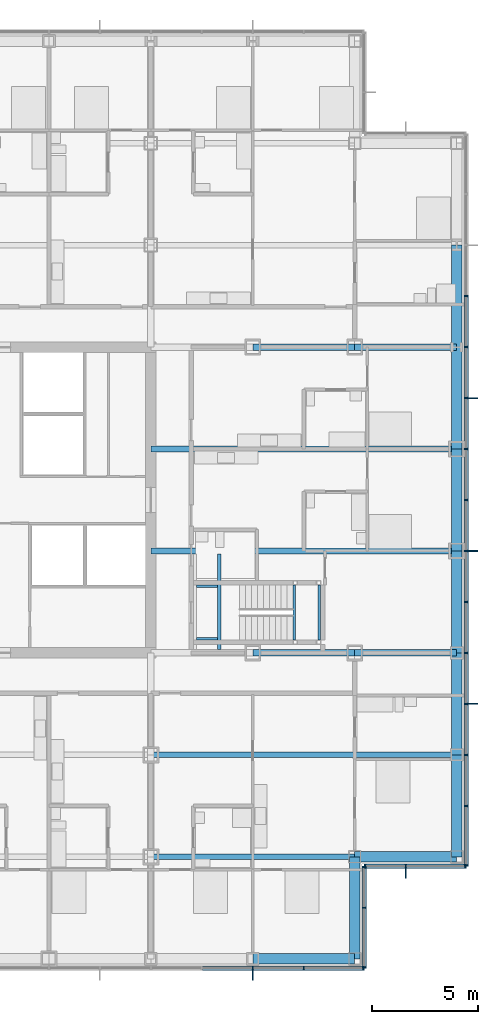
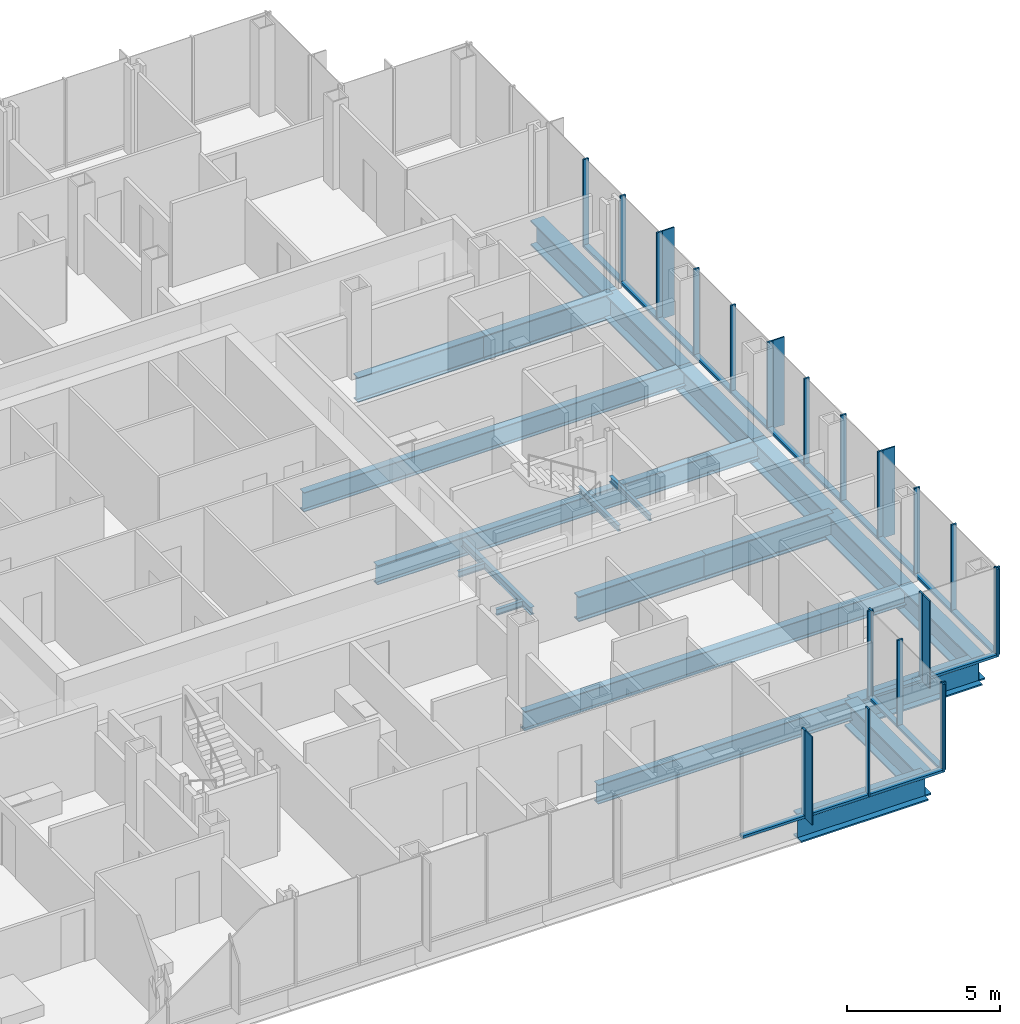
# One storey, part 9 of 21: 44 members, 22 beams, 4 elements without a shape of their own.
"""IFC4 building model written with IfcOpenShell, lengths in metres."""

from ifc_helpers import new_model, si_unit, direction, frame, origin, origin_2d, place, context, subcontext, project, spatial, rectangle, i_section, extrude, material, material_profile, profile_set, type_object, element, aggregate, save


model = new_model("IFC4")

# Units and contexts
model_context = context("Model", 3, precision=1e-05, world=origin(), true_north=direction((0.0, 1.0)))
body_context = subcontext(model_context, "Body", "Model", "MODEL_VIEW")
ifc_project = project(units=[si_unit("LENGTHUNIT", "METRE"), si_unit("AREAUNIT", "SQUARE_METRE"), si_unit("VOLUMEUNIT", "CUBIC_METRE"), si_unit("PLANEANGLEUNIT", "RADIAN"), si_unit("MASSUNIT", "GRAM", prefix="KILO")], contexts=[model_context])

# Site, building, storey
site_placement = place(None, origin())
site = spatial("IfcSite", under=ifc_project, at=site_placement, CompositionType="ELEMENT")
building_placement = place(site_placement, origin())
building = spatial("IfcBuilding", under=site, at=building_placement, Name="Kvirike Care Tower", CompositionType="ELEMENT")
storey_placement = place(building_placement, frame((0.0, 0.0, 51.5)))
storey = spatial("IfcBuildingStorey", under=building, at=storey_placement, Name="L13", CompositionType="ELEMENT", Elevation=51.5)

# Curtain wall, member
ifc_material_1 = material(Name="Anodised aluminium stick system", Category="aluminium")
curtain_wall_type = type_object("IfcCurtainWallType", Name="CW-A STICK CURTAIN WALL", PredefinedType="NOTDEFINED", material=ifc_material_1)
curtain_wall_1_placement = place(storey_placement, origin())
curtain_wall_1 = element("IfcCurtainWall", 1, at=curtain_wall_1_placement, inside=storey, type_object=curtain_wall_type, Name="Curtain wall L13 face 4", PredefinedType="NOTDEFINED")
ifc_material_2 = material(Name="Bronze anodised aluminium fin", Category="aluminium")
ifc_material_profile_1 = material_profile(ifc_material_2, rectangle(XDim=0.050048828125, YDim=0.449951171875, at=origin_2d()), Name="BRONZE FIN 450")
ifc_profile_set_1 = profile_set([ifc_material_profile_1], Name="Bronze anodised aluminium fin")
member_type_1 = type_object("IfcMemberType", Name="BRONZE FIN 450", PredefinedType="USERDEFINED", material=ifc_profile_set_1)
member_1_placement = place(storey_placement, frame((33.60009765625, 13.625, 0.0), z_axis=(0.0, 0.0, 1.0), x_axis=(1.0, 0.0, 0.0)))
member_1 = element("IfcMember", 2, at=member_1_placement, type_object=member_type_1, Name="Bronze fin L13 face 4.13", ObjectType="FIN", PredefinedType="USERDEFINED", context=body_context, shape_type="SweptSolid", body=[
    extrude(rectangle(XDim=0.050048828125, YDim=0.449951171875, at=origin_2d()), origin(), (0.0, 0.0, 1.0), 3.5),
])

curtain_wall_2_placement = place(storey_placement, origin())
curtain_wall_2 = element("IfcCurtainWall", 3, at=curtain_wall_2_placement, inside=storey, type_object=curtain_wall_type, Name="Curtain wall L13 face 6", PredefinedType="NOTDEFINED")
member_2_placement = place(storey_placement, frame((40.800048828125, 18.425048828125, 0.0), z_axis=(0.0, 0.0, 1.0), x_axis=(1.0, 0.0, 0.0)))
member_2 = element("IfcMember", 4, at=member_2_placement, type_object=member_type_1, Name="Bronze fin L13 face 6.2", ObjectType="FIN", PredefinedType="USERDEFINED", context=body_context, shape_type="SweptSolid", body=[
    extrude(rectangle(XDim=0.050048828125, YDim=0.449951171875, at=origin_2d()), origin(), (0.0, 0.0, 1.0), 3.5),
])

# Curtain wall, members
curtain_wall_3_placement = place(storey_placement, origin())
curtain_wall_3 = element("IfcCurtainWall", 5, at=curtain_wall_3_placement, inside=storey, type_object=curtain_wall_type, Name="Curtain wall L13 face 7", PredefinedType="NOTDEFINED")
member_3_placement = place(storey_placement, frame((43.97509765625, 26.39990234375, 0.0), z_axis=(0.0, 0.0, 1.0), x_axis=(0.0, 1.0, 0.0)))
member_3 = element("IfcMember", 6, at=member_3_placement, type_object=member_type_1, Name="Bronze fin L13 face 7.4", ObjectType="FIN", PredefinedType="USERDEFINED", context=body_context, shape_type="SweptSolid", body=[
    extrude(rectangle(XDim=0.050048828125, YDim=0.449951171875, at=origin_2d()), origin(), (0.0, 0.0, 1.0), 3.5),
])
member_4_placement = place(storey_placement, frame((43.97509765625, 33.60009765625, 0.0), z_axis=(0.0, 0.0, 1.0), x_axis=(0.0, 1.0, 0.0)))
member_4 = element("IfcMember", 7, at=member_4_placement, type_object=member_type_1, Name="Bronze fin L13 face 7.7", ObjectType="FIN", PredefinedType="USERDEFINED", context=body_context, shape_type="SweptSolid", body=[
    extrude(rectangle(XDim=0.050048828125, YDim=0.449951171875, at=origin_2d()), origin(), (0.0, 0.0, 1.0), 3.5),
])
member_5_placement = place(storey_placement, frame((43.97509765625, 40.800048828125, 0.0), z_axis=(0.0, 0.0, 1.0), x_axis=(0.0, 1.0, 0.0)))
member_5 = element("IfcMember", 8, at=member_5_placement, type_object=member_type_1, Name="Bronze fin L13 face 7.10", ObjectType="FIN", PredefinedType="USERDEFINED", context=body_context, shape_type="SweptSolid", body=[
    extrude(rectangle(XDim=0.050048828125, YDim=0.449951171875, at=origin_2d()), origin(), (0.0, 0.0, 1.0), 3.5),
])

# Member
ifc_material_3 = material(Name="Bronze anodised aluminium mullion", Category="aluminium")
ifc_material_profile_2 = material_profile(ifc_material_3, rectangle(XDim=0.06494140625, YDim=0.199951171875, at=origin_2d()), Name="CW-A MULLION 65x200")
ifc_profile_set_2 = profile_set([ifc_material_profile_2], Name="Bronze anodised aluminium mullion")
member_type_2 = type_object("IfcMemberType", Name="CW-A MULLION 65x200", PredefinedType="MULLION", material=ifc_profile_set_2)
member_6_placement = place(storey_placement, frame((33.60009765625, 13.949951171875, 0.0), z_axis=(0.0, 0.0, 1.0), x_axis=(1.0, 0.0, 0.0)))
member_6 = element("IfcMember", 9, at=member_6_placement, type_object=member_type_2, Name="CW-A mullion L13 face 4.13", PredefinedType="MULLION", context=body_context, shape_type="SweptSolid", body=[
    extrude(rectangle(XDim=0.06494140625, YDim=0.199951171875, at=origin_2d()), origin(), (0.0, 0.0, 1.0), 3.5),
])

member_7_placement = place(storey_placement, frame((36.0, 13.949951171875, 0.0), z_axis=(0.0, 0.0, 1.0), x_axis=(1.0, 0.0, 0.0)))
member_7 = element("IfcMember", 10, at=member_7_placement, type_object=member_type_2, Name="CW-A mullion L13 face 4.14", PredefinedType="MULLION", context=body_context, shape_type="SweptSolid", body=[
    extrude(rectangle(XDim=0.06494140625, YDim=0.199951171875, at=origin_2d()), origin(), (0.0, 0.0, 1.0), 3.5),
])

member_8_placement = place(storey_placement, frame((38.8173828125, 13.949951171875, 0.0), z_axis=(0.0, 0.0, 1.0), x_axis=(1.0, 0.0, 0.0)))
member_8 = element("IfcMember", 11, at=member_8_placement, type_object=member_type_2, Name="CW-A mullion L13 face 4.15", PredefinedType="MULLION", context=body_context, shape_type="SweptSolid", body=[
    extrude(rectangle(XDim=0.06494140625, YDim=0.199951171875, at=origin_2d()), origin(), (0.0, 0.0, 1.0), 3.5),
])

# Curtain wall, members
curtain_wall_4_placement = place(storey_placement, origin())
curtain_wall_4 = element("IfcCurtainWall", 12, at=curtain_wall_4_placement, inside=storey, type_object=curtain_wall_type, Name="Curtain wall L13 face 5", PredefinedType="NOTDEFINED")
member_9_placement = place(storey_placement, frame((38.85009765625, 13.982421875, 0.0), z_axis=(0.0, 0.0, 1.0), x_axis=(0.0, 1.0, 0.0)))
member_9 = element("IfcMember", 13, at=member_9_placement, type_object=member_type_2, Name="CW-A mullion L13 face 5.1", PredefinedType="MULLION", context=body_context, shape_type="SweptSolid", body=[
    extrude(rectangle(XDim=0.06494140625, YDim=0.199951171875, at=origin_2d()), origin(), (0.0, 0.0, 1.0), 3.5),
])
member_10_placement = place(storey_placement, frame((38.85009765625, 16.800048828125, 0.0), z_axis=(0.0, 0.0, 1.0), x_axis=(0.0, 1.0, 0.0)))
member_10 = element("IfcMember", 14, at=member_10_placement, type_object=member_type_2, Name="CW-A mullion L13 face 5.2", PredefinedType="MULLION", context=body_context, shape_type="SweptSolid", body=[
    extrude(rectangle(XDim=0.06494140625, YDim=0.199951171875, at=origin_2d()), origin(), (0.0, 0.0, 1.0), 3.5),
])
member_11_placement = place(storey_placement, frame((38.85009765625, 18.717529296875, 0.0), z_axis=(0.0, 0.0, 1.0), x_axis=(0.0, 1.0, 0.0)))
member_11 = element("IfcMember", 15, at=member_11_placement, type_object=member_type_2, Name="CW-A mullion L13 face 5.3", PredefinedType="MULLION", context=body_context, shape_type="SweptSolid", body=[
    extrude(rectangle(XDim=0.06494140625, YDim=0.199951171875, at=origin_2d()), origin(), (0.0, 0.0, 1.0), 3.5),
])

# Member
member_12_placement = place(storey_placement, frame((38.882568359375, 18.75, 0.0), z_axis=(0.0, 0.0, 1.0), x_axis=(1.0, 0.0, 0.0)))
member_12 = element("IfcMember", 16, at=member_12_placement, type_object=member_type_2, Name="CW-A mullion L13 face 6.1", PredefinedType="MULLION", context=body_context, shape_type="SweptSolid", body=[
    extrude(rectangle(XDim=0.06494140625, YDim=0.199951171875, at=origin_2d()), origin(), (0.0, 0.0, 1.0), 3.5),
])

member_13_placement = place(storey_placement, frame((40.800048828125, 18.75, 0.0), z_axis=(0.0, 0.0, 1.0), x_axis=(1.0, 0.0, 0.0)))
member_13 = element("IfcMember", 17, at=member_13_placement, type_object=member_type_2, Name="CW-A mullion L13 face 6.2", PredefinedType="MULLION", context=body_context, shape_type="SweptSolid", body=[
    extrude(rectangle(XDim=0.06494140625, YDim=0.199951171875, at=origin_2d()), origin(), (0.0, 0.0, 1.0), 3.5),
])

member_14_placement = place(storey_placement, frame((43.617431640625, 18.75, 0.0), z_axis=(0.0, 0.0, 1.0), x_axis=(1.0, 0.0, 0.0)))
member_14 = element("IfcMember", 18, at=member_14_placement, type_object=member_type_2, Name="CW-A mullion L13 face 6.3", PredefinedType="MULLION", context=body_context, shape_type="SweptSolid", body=[
    extrude(rectangle(XDim=0.06494140625, YDim=0.199951171875, at=origin_2d()), origin(), (0.0, 0.0, 1.0), 3.5),
])

member_15_placement = place(storey_placement, frame((43.64990234375, 18.782470703125, 0.0), z_axis=(0.0, 0.0, 1.0), x_axis=(0.0, 1.0, 0.0)))
member_15 = element("IfcMember", 19, at=member_15_placement, type_object=member_type_2, Name="CW-A mullion L13 face 7.1", PredefinedType="MULLION", context=body_context, shape_type="SweptSolid", body=[
    extrude(rectangle(XDim=0.06494140625, YDim=0.199951171875, at=origin_2d()), origin(), (0.0, 0.0, 1.0), 3.5),
])

member_16_placement = place(storey_placement, frame((43.64990234375, 21.60009765625, 0.0), z_axis=(0.0, 0.0, 1.0), x_axis=(0.0, 1.0, 0.0)))
member_16 = element("IfcMember", 20, at=member_16_placement, type_object=member_type_2, Name="CW-A mullion L13 face 7.2", PredefinedType="MULLION", context=body_context, shape_type="SweptSolid", body=[
    extrude(rectangle(XDim=0.06494140625, YDim=0.199951171875, at=origin_2d()), origin(), (0.0, 0.0, 1.0), 3.5),
])

member_17_placement = place(storey_placement, frame((43.64990234375, 24.0, 0.0), z_axis=(0.0, 0.0, 1.0), x_axis=(0.0, 1.0, 0.0)))
member_17 = element("IfcMember", 21, at=member_17_placement, type_object=member_type_2, Name="CW-A mullion L13 face 7.3", PredefinedType="MULLION", context=body_context, shape_type="SweptSolid", body=[
    extrude(rectangle(XDim=0.06494140625, YDim=0.199951171875, at=origin_2d()), origin(), (0.0, 0.0, 1.0), 3.5),
])

member_18_placement = place(storey_placement, frame((43.64990234375, 26.39990234375, 0.0), z_axis=(0.0, 0.0, 1.0), x_axis=(0.0, 1.0, 0.0)))
member_18 = element("IfcMember", 22, at=member_18_placement, type_object=member_type_2, Name="CW-A mullion L13 face 7.4", PredefinedType="MULLION", context=body_context, shape_type="SweptSolid", body=[
    extrude(rectangle(XDim=0.06494140625, YDim=0.199951171875, at=origin_2d()), origin(), (0.0, 0.0, 1.0), 3.5),
])

member_19_placement = place(storey_placement, frame((43.64990234375, 28.800048828125, 0.0), z_axis=(0.0, 0.0, 1.0), x_axis=(0.0, 1.0, 0.0)))
member_19 = element("IfcMember", 23, at=member_19_placement, type_object=member_type_2, Name="CW-A mullion L13 face 7.5", PredefinedType="MULLION", context=body_context, shape_type="SweptSolid", body=[
    extrude(rectangle(XDim=0.06494140625, YDim=0.199951171875, at=origin_2d()), origin(), (0.0, 0.0, 1.0), 3.5),
])

member_20_placement = place(storey_placement, frame((43.64990234375, 31.199951171875, 0.0), z_axis=(0.0, 0.0, 1.0), x_axis=(0.0, 1.0, 0.0)))
member_20 = element("IfcMember", 24, at=member_20_placement, type_object=member_type_2, Name="CW-A mullion L13 face 7.6", PredefinedType="MULLION", context=body_context, shape_type="SweptSolid", body=[
    extrude(rectangle(XDim=0.06494140625, YDim=0.199951171875, at=origin_2d()), origin(), (0.0, 0.0, 1.0), 3.5),
])

member_21_placement = place(storey_placement, frame((43.64990234375, 33.60009765625, 0.0), z_axis=(0.0, 0.0, 1.0), x_axis=(0.0, 1.0, 0.0)))
member_21 = element("IfcMember", 25, at=member_21_placement, type_object=member_type_2, Name="CW-A mullion L13 face 7.7", PredefinedType="MULLION", context=body_context, shape_type="SweptSolid", body=[
    extrude(rectangle(XDim=0.06494140625, YDim=0.199951171875, at=origin_2d()), origin(), (0.0, 0.0, 1.0), 3.5),
])

member_22_placement = place(storey_placement, frame((43.64990234375, 36.0, 0.0), z_axis=(0.0, 0.0, 1.0), x_axis=(0.0, 1.0, 0.0)))
member_22 = element("IfcMember", 26, at=member_22_placement, type_object=member_type_2, Name="CW-A mullion L13 face 7.8", PredefinedType="MULLION", context=body_context, shape_type="SweptSolid", body=[
    extrude(rectangle(XDim=0.06494140625, YDim=0.199951171875, at=origin_2d()), origin(), (0.0, 0.0, 1.0), 3.5),
])

member_23_placement = place(storey_placement, frame((43.64990234375, 38.39990234375, 0.0), z_axis=(0.0, 0.0, 1.0), x_axis=(0.0, 1.0, 0.0)))
member_23 = element("IfcMember", 27, at=member_23_placement, type_object=member_type_2, Name="CW-A mullion L13 face 7.9", PredefinedType="MULLION", context=body_context, shape_type="SweptSolid", body=[
    extrude(rectangle(XDim=0.06494140625, YDim=0.199951171875, at=origin_2d()), origin(), (0.0, 0.0, 1.0), 3.5),
])

member_24_placement = place(storey_placement, frame((43.64990234375, 40.800048828125, 0.0), z_axis=(0.0, 0.0, 1.0), x_axis=(0.0, 1.0, 0.0)))
member_24 = element("IfcMember", 28, at=member_24_placement, type_object=member_type_2, Name="CW-A mullion L13 face 7.10", PredefinedType="MULLION", context=body_context, shape_type="SweptSolid", body=[
    extrude(rectangle(XDim=0.06494140625, YDim=0.199951171875, at=origin_2d()), origin(), (0.0, 0.0, 1.0), 3.5),
])

member_25_placement = place(storey_placement, frame((43.64990234375, 43.199951171875, 0.0), z_axis=(0.0, 0.0, 1.0), x_axis=(0.0, 1.0, 0.0)))
member_25 = element("IfcMember", 29, at=member_25_placement, type_object=member_type_2, Name="CW-A mullion L13 face 7.11", PredefinedType="MULLION", context=body_context, shape_type="SweptSolid", body=[
    extrude(rectangle(XDim=0.06494140625, YDim=0.199951171875, at=origin_2d()), origin(), (0.0, 0.0, 1.0), 3.5),
])

member_26_placement = place(storey_placement, frame((43.64990234375, 45.60009765625, 0.0), z_axis=(0.0, 0.0, 1.0), x_axis=(0.0, 1.0, 0.0)))
member_26 = element("IfcMember", 30, at=member_26_placement, type_object=member_type_2, Name="CW-A mullion L13 face 7.12", PredefinedType="MULLION", context=body_context, shape_type="SweptSolid", body=[
    extrude(rectangle(XDim=0.06494140625, YDim=0.199951171875, at=origin_2d()), origin(), (0.0, 0.0, 1.0), 3.5),
])

ifc_material_4 = material(Name="Bronze anodised aluminium transom", Category="aluminium")
ifc_material_profile_3 = material_profile(ifc_material_4, rectangle(XDim=0.199951171875, YDim=0.10009765625, at=origin_2d()), Name="CW-A TRANSOM 200x100")
ifc_profile_set_3 = profile_set([ifc_material_profile_3], Name="Bronze anodised aluminium transom")
member_type_3 = type_object("IfcMemberType", Name="CW-A TRANSOM 200x100", PredefinedType="USERDEFINED", material=ifc_profile_set_3)
member_27_placement = place(storey_placement, frame((31.232421875, 13.949951171875, 0.050048828125), z_axis=(1.0, 0.0, 0.0), x_axis=(0.0, 1.0, 0.0)))
member_27 = element("IfcMember", 31, at=member_27_placement, type_object=member_type_3, Name="CW-A sill transom L13 face 4.12", ObjectType="TRANSOM", PredefinedType="USERDEFINED", context=body_context, shape_type="SweptSolid", body=[
    extrude(rectangle(XDim=0.199951171875, YDim=0.10009765625, at=origin_2d()), origin(), (0.0, 0.0, 1.0), 2.3349609375),
])

member_28_placement = place(storey_placement, frame((33.632568359375, 13.949951171875, 0.050048828125), z_axis=(1.0, 0.0, 0.0), x_axis=(0.0, 1.0, 0.0)))
member_28 = element("IfcMember", 32, at=member_28_placement, type_object=member_type_3, Name="CW-A sill transom L13 face 4.13", ObjectType="TRANSOM", PredefinedType="USERDEFINED", context=body_context, shape_type="SweptSolid", body=[
    extrude(rectangle(XDim=0.199951171875, YDim=0.10009765625, at=origin_2d()), origin(), (0.0, 0.0, 1.0), 2.3349609375),
])

member_29_placement = place(storey_placement, frame((36.032470703125, 13.949951171875, 0.050048828125), z_axis=(1.0, 0.0, 0.0), x_axis=(0.0, 1.0, 0.0)))
member_29 = element("IfcMember", 33, at=member_29_placement, type_object=member_type_3, Name="CW-A sill transom L13 face 4.14", ObjectType="TRANSOM", PredefinedType="USERDEFINED", context=body_context, shape_type="SweptSolid", body=[
    extrude(rectangle(XDim=0.199951171875, YDim=0.10009765625, at=origin_2d()), origin(), (0.0, 0.0, 1.0), 2.75244140625),
])

aggregate(curtain_wall_1, [member_6, member_1, member_7, member_8, member_27, member_28, member_29])

member_30_placement = place(storey_placement, frame((38.85009765625, 14.014892578125, 0.050048828125), z_axis=(0.0, 1.0, 0.0), x_axis=(-1.0, 0.0, 0.0)))
member_30 = element("IfcMember", 34, at=member_30_placement, type_object=member_type_3, Name="CW-A sill transom L13 face 5.1", ObjectType="TRANSOM", PredefinedType="USERDEFINED", context=body_context, shape_type="SweptSolid", body=[
    extrude(rectangle(XDim=0.199951171875, YDim=0.10009765625, at=origin_2d()), origin(), (0.0, 0.0, 1.0), 2.752685546875),
])

member_31_placement = place(storey_placement, frame((38.85009765625, 16.83251953125, 0.050048828125), z_axis=(0.0, 1.0, 0.0), x_axis=(-1.0, 0.0, 0.0)))
member_31 = element("IfcMember", 35, at=member_31_placement, type_object=member_type_3, Name="CW-A sill transom L13 face 5.2", ObjectType="TRANSOM", PredefinedType="USERDEFINED", context=body_context, shape_type="SweptSolid", body=[
    extrude(rectangle(XDim=0.199951171875, YDim=0.10009765625, at=origin_2d()), origin(), (0.0, 0.0, 1.0), 1.8525390625),
])

aggregate(curtain_wall_4, [member_9, member_10, member_11, member_30, member_31])

member_32_placement = place(storey_placement, frame((38.9150390625, 18.75, 0.050048828125), z_axis=(1.0, 0.0, 0.0), x_axis=(0.0, 1.0, 0.0)))
member_32 = element("IfcMember", 36, at=member_32_placement, type_object=member_type_3, Name="CW-A sill transom L13 face 6.1", ObjectType="TRANSOM", PredefinedType="USERDEFINED", context=body_context, shape_type="SweptSolid", body=[
    extrude(rectangle(XDim=0.199951171875, YDim=0.10009765625, at=origin_2d()), origin(), (0.0, 0.0, 1.0), 1.8525390625),
])

member_33_placement = place(storey_placement, frame((40.83251953125, 18.75, 0.050048828125), z_axis=(1.0, 0.0, 0.0), x_axis=(0.0, 1.0, 0.0)))
member_33 = element("IfcMember", 37, at=member_33_placement, type_object=member_type_3, Name="CW-A sill transom L13 face 6.2", ObjectType="TRANSOM", PredefinedType="USERDEFINED", context=body_context, shape_type="SweptSolid", body=[
    extrude(rectangle(XDim=0.199951171875, YDim=0.10009765625, at=origin_2d()), origin(), (0.0, 0.0, 1.0), 2.75244140625),
])

aggregate(curtain_wall_2, [member_12, member_13, member_2, member_14, member_32, member_33])

member_34_placement = place(storey_placement, frame((43.64990234375, 18.81494140625, 0.050048828125), z_axis=(0.0, 1.0, 0.0), x_axis=(-1.0, 0.0, 0.0)))
member_34 = element("IfcMember", 38, at=member_34_placement, type_object=member_type_3, Name="CW-A sill transom L13 face 7.1", ObjectType="TRANSOM", PredefinedType="USERDEFINED", context=body_context, shape_type="SweptSolid", body=[
    extrude(rectangle(XDim=0.199951171875, YDim=0.10009765625, at=origin_2d()), origin(), (0.0, 0.0, 1.0), 2.75244140625),
])

member_35_placement = place(storey_placement, frame((43.64990234375, 21.632568359375, 0.050048828125), z_axis=(0.0, 1.0, 0.0), x_axis=(-1.0, 0.0, 0.0)))
member_35 = element("IfcMember", 39, at=member_35_placement, type_object=member_type_3, Name="CW-A sill transom L13 face 7.2", ObjectType="TRANSOM", PredefinedType="USERDEFINED", context=body_context, shape_type="SweptSolid", body=[
    extrude(rectangle(XDim=0.199951171875, YDim=0.10009765625, at=origin_2d()), origin(), (0.0, 0.0, 1.0), 2.3349609375),
])

member_36_placement = place(storey_placement, frame((43.64990234375, 24.032470703125, 0.050048828125), z_axis=(0.0, 1.0, 0.0), x_axis=(-1.0, 0.0, 0.0)))
member_36 = element("IfcMember", 40, at=member_36_placement, type_object=member_type_3, Name="CW-A sill transom L13 face 7.3", ObjectType="TRANSOM", PredefinedType="USERDEFINED", context=body_context, shape_type="SweptSolid", body=[
    extrude(rectangle(XDim=0.199951171875, YDim=0.10009765625, at=origin_2d()), origin(), (0.0, 0.0, 1.0), 2.3349609375),
])

member_37_placement = place(storey_placement, frame((43.64990234375, 26.4326171875, 0.050048828125), z_axis=(0.0, 1.0, 0.0), x_axis=(-1.0, 0.0, 0.0)))
member_37 = element("IfcMember", 41, at=member_37_placement, type_object=member_type_3, Name="CW-A sill transom L13 face 7.4", ObjectType="TRANSOM", PredefinedType="USERDEFINED", context=body_context, shape_type="SweptSolid", body=[
    extrude(rectangle(XDim=0.199951171875, YDim=0.10009765625, at=origin_2d()), origin(), (0.0, 0.0, 1.0), 2.3349609375),
])

member_38_placement = place(storey_placement, frame((43.64990234375, 28.83251953125, 0.050048828125), z_axis=(0.0, 1.0, 0.0), x_axis=(-1.0, 0.0, 0.0)))
member_38 = element("IfcMember", 42, at=member_38_placement, type_object=member_type_3, Name="CW-A sill transom L13 face 7.5", ObjectType="TRANSOM", PredefinedType="USERDEFINED", context=body_context, shape_type="SweptSolid", body=[
    extrude(rectangle(XDim=0.199951171875, YDim=0.10009765625, at=origin_2d()), origin(), (0.0, 0.0, 1.0), 2.3349609375),
])

member_39_placement = place(storey_placement, frame((43.64990234375, 31.232421875, 0.050048828125), z_axis=(0.0, 1.0, 0.0), x_axis=(-1.0, 0.0, 0.0)))
member_39 = element("IfcMember", 43, at=member_39_placement, type_object=member_type_3, Name="CW-A sill transom L13 face 7.6", ObjectType="TRANSOM", PredefinedType="USERDEFINED", context=body_context, shape_type="SweptSolid", body=[
    extrude(rectangle(XDim=0.199951171875, YDim=0.10009765625, at=origin_2d()), origin(), (0.0, 0.0, 1.0), 2.3349609375),
])

member_40_placement = place(storey_placement, frame((43.64990234375, 33.632568359375, 0.050048828125), z_axis=(0.0, 1.0, 0.0), x_axis=(-1.0, 0.0, 0.0)))
member_40 = element("IfcMember", 44, at=member_40_placement, type_object=member_type_3, Name="CW-A sill transom L13 face 7.7", ObjectType="TRANSOM", PredefinedType="USERDEFINED", context=body_context, shape_type="SweptSolid", body=[
    extrude(rectangle(XDim=0.199951171875, YDim=0.10009765625, at=origin_2d()), origin(), (0.0, 0.0, 1.0), 2.3349609375),
])

member_41_placement = place(storey_placement, frame((43.64990234375, 36.032470703125, 0.050048828125), z_axis=(0.0, 1.0, 0.0), x_axis=(-1.0, 0.0, 0.0)))
member_41 = element("IfcMember", 45, at=member_41_placement, type_object=member_type_3, Name="CW-A sill transom L13 face 7.8", ObjectType="TRANSOM", PredefinedType="USERDEFINED", context=body_context, shape_type="SweptSolid", body=[
    extrude(rectangle(XDim=0.199951171875, YDim=0.10009765625, at=origin_2d()), origin(), (0.0, 0.0, 1.0), 2.3349609375),
])

member_42_placement = place(storey_placement, frame((43.64990234375, 38.4326171875, 0.050048828125), z_axis=(0.0, 1.0, 0.0), x_axis=(-1.0, 0.0, 0.0)))
member_42 = element("IfcMember", 46, at=member_42_placement, type_object=member_type_3, Name="CW-A sill transom L13 face 7.9", ObjectType="TRANSOM", PredefinedType="USERDEFINED", context=body_context, shape_type="SweptSolid", body=[
    extrude(rectangle(XDim=0.199951171875, YDim=0.10009765625, at=origin_2d()), origin(), (0.0, 0.0, 1.0), 2.3349609375),
])

member_43_placement = place(storey_placement, frame((43.64990234375, 40.83251953125, 0.050048828125), z_axis=(0.0, 1.0, 0.0), x_axis=(-1.0, 0.0, 0.0)))
member_43 = element("IfcMember", 47, at=member_43_placement, type_object=member_type_3, Name="CW-A sill transom L13 face 7.10", ObjectType="TRANSOM", PredefinedType="USERDEFINED", context=body_context, shape_type="SweptSolid", body=[
    extrude(rectangle(XDim=0.199951171875, YDim=0.10009765625, at=origin_2d()), origin(), (0.0, 0.0, 1.0), 2.3349609375),
])

member_44_placement = place(storey_placement, frame((43.64990234375, 43.232421875, 0.050048828125), z_axis=(0.0, 1.0, 0.0), x_axis=(-1.0, 0.0, 0.0)))
member_44 = element("IfcMember", 48, at=member_44_placement, type_object=member_type_3, Name="CW-A sill transom L13 face 7.11", ObjectType="TRANSOM", PredefinedType="USERDEFINED", context=body_context, shape_type="SweptSolid", body=[
    extrude(rectangle(XDim=0.199951171875, YDim=0.10009765625, at=origin_2d()), origin(), (0.0, 0.0, 1.0), 2.3349609375),
])

aggregate(curtain_wall_3, [member_15, member_16, member_17, member_18, member_3, member_19, member_20, member_21, member_4, member_22, member_23, member_24, member_5, member_25, member_26, member_34, member_35, member_36, member_37, member_38, member_39, member_40, member_41, member_42, member_43, member_44])

# Beams
ifc_material_5 = material(Name="Steel S355", Category="steel")
ifc_material_profile_4 = material_profile(ifc_material_5, i_section(OverallWidth=0.26806640625, OverallDepth=0.77001953125, WebThickness=0.015625, FlangeThickness=0.025390625, FilletRadius=0.01708984375, at=origin_2d()), Name="IPE 750x196")
ifc_profile_set_4 = profile_set([ifc_material_profile_4], Name="Steel S355")
beam_type_1 = type_object("IfcBeamType", Name="FLOOR BEAM IPE 750x196", PredefinedType="BEAM", material=ifc_profile_set_4)
beam_1_placement = place(storey_placement, frame((28.800048828125, 19.199951171875, -0.554931640625), z_axis=(1.0, 0.0, 0.0), x_axis=(0.0, 1.0, 0.0)))
element("IfcBeam", 49, at=beam_1_placement, inside=storey, type_object=beam_type_1, Name="Floor Beam E9-E11 L13", PredefinedType="BEAM", context=body_context, shape_type="SweptSolid", body=[
    extrude(i_section(OverallWidth=0.26806640625, OverallDepth=0.77001953125, WebThickness=0.015625, FlangeThickness=0.025390625, FilletRadius=0.01708984375, at=origin_2d()), origin(), (0.0, 0.0, 1.0), 9.599853515625),
])
for number, where, z_axis, x_axis, name in (
    (50, (28.800048828125, 24.0, -0.554931640625), (1.0, 0.0, 0.0), (0.0, 1.0, 0.0), "Floor Beam F9-F12 L13"),
    (51, (28.800048828125, 33.60009765625, -0.554931640625), (1.0, 0.0, 0.0), (0.0, 1.0, 0.0), "Floor Beam H9-H12 L13"),
    (52, (28.800048828125, 38.39990234375, -0.554931640625), (1.0, 0.0, 0.0), (0.0, 1.0, 0.0), "Floor Beam J9-J12 L13"),
):
    element("IfcBeam", number, at=place(storey_placement, frame(where, z_axis=z_axis, x_axis=x_axis)), inside=storey, type_object=beam_type_1, Name=name, PredefinedType="BEAM", context=body_context, shape_type="SweptSolid", body=[
        extrude(i_section(OverallWidth=0.26806640625, OverallDepth=0.77001953125, WebThickness=0.015625, FlangeThickness=0.025390625, FilletRadius=0.01708984375, at=origin_2d()), origin(), (0.0, 0.0, 1.0), 14.39990234375),
    ])
ifc_material_6 = material(Name="Steel S355", Category="steel")
ifc_material_profile_5 = material_profile(ifc_material_6, i_section(OverallWidth=0.300048828125, OverallDepth=1.0, WebThickness=0.01904296875, FlangeThickness=0.035888671875, FilletRadius=0.030029296875, at=origin_2d()), Name="HE 1000 B")
ifc_profile_set_5 = profile_set([ifc_material_profile_5], Name="Steel S355")
beam_type_2 = type_object("IfcBeamType", Name="FRAME BEAM HE 1000 B", PredefinedType="BEAM", material=ifc_profile_set_5)
beam_2_placement = place(storey_placement, frame((33.60009765625, 28.800048828125, -0.669921875), z_axis=(1.0, 0.0, 0.0), x_axis=(0.0, 1.0, 0.0)))
element("IfcBeam", 53, at=beam_2_placement, inside=storey, type_object=beam_type_2, Name="Frame Beam G10-G11 L13", PredefinedType="BEAM", context=body_context, shape_type="SweptSolid", body=[
    extrude(i_section(OverallWidth=0.300048828125, OverallDepth=1.0, WebThickness=0.01904296875, FlangeThickness=0.035888671875, FilletRadius=0.030029296875, at=origin_2d()), origin(), (0.0, 0.0, 1.0), 4.7998046875),
])
beam_3_placement = place(storey_placement, frame((38.39990234375, 28.800048828125, -0.669921875), z_axis=(1.0, 0.0, 0.0), x_axis=(0.0, 1.0, 0.0)))
element("IfcBeam", 54, at=beam_3_placement, inside=storey, type_object=beam_type_2, Name="Frame Beam G11-G12 L13", PredefinedType="BEAM", context=body_context, shape_type="SweptSolid", body=[
    extrude(i_section(OverallWidth=0.300048828125, OverallDepth=1.0, WebThickness=0.01904296875, FlangeThickness=0.035888671875, FilletRadius=0.030029296875, at=origin_2d()), origin(), (0.0, 0.0, 1.0), 4.800048828125),
])
beam_4_placement = place(storey_placement, frame((33.60009765625, 43.199951171875, -0.669921875), z_axis=(1.0, 0.0, 0.0), x_axis=(0.0, 1.0, 0.0)))
element("IfcBeam", 55, at=beam_4_placement, inside=storey, type_object=beam_type_2, Name="Frame Beam K10-K11 L13", PredefinedType="BEAM", context=body_context, shape_type="SweptSolid", body=[
    extrude(i_section(OverallWidth=0.300048828125, OverallDepth=1.0, WebThickness=0.01904296875, FlangeThickness=0.035888671875, FilletRadius=0.030029296875, at=origin_2d()), origin(), (0.0, 0.0, 1.0), 4.7998046875),
])
beam_5_placement = place(storey_placement, frame((38.39990234375, 43.199951171875, -0.669921875), z_axis=(1.0, 0.0, 0.0), x_axis=(0.0, 1.0, 0.0)))
element("IfcBeam", 56, at=beam_5_placement, inside=storey, type_object=beam_type_2, Name="Frame Beam K11-K12 L13", PredefinedType="BEAM", context=body_context, shape_type="SweptSolid", body=[
    extrude(i_section(OverallWidth=0.300048828125, OverallDepth=1.0, WebThickness=0.01904296875, FlangeThickness=0.035888671875, FilletRadius=0.030029296875, at=origin_2d()), origin(), (0.0, 0.0, 1.0), 4.800048828125),
])
ifc_material_7 = material(Name="Steel S355", Category="steel")
ifc_material_profile_6 = material_profile(ifc_material_7, i_section(OverallWidth=0.5, OverallDepth=1.0, WebThickness=0.030029296875, FlangeThickness=0.06005859375, at=origin_2d()), Name="PG 1000x500x30x60")
ifc_profile_set_6 = profile_set([ifc_material_profile_6], Name="Steel S355")
beam_type_3 = type_object("IfcBeamType", Name="SPANDREL PG 1000x500x30x60", PredefinedType="SPANDREL", material=ifc_profile_set_6)
beam_6_placement = place(storey_placement, frame((33.60009765625, 14.39990234375, -0.669921875), z_axis=(1.0, 0.0, 0.0), x_axis=(0.0, 1.0, 0.0)))
element("IfcBeam", 57, at=beam_6_placement, inside=storey, type_object=beam_type_3, Name="Spandrel D10-D11 L13", PredefinedType="SPANDREL", context=body_context, shape_type="SweptSolid", body=[
    extrude(i_section(OverallWidth=0.5, OverallDepth=1.0, WebThickness=0.030029296875, FlangeThickness=0.06005859375, at=origin_2d()), origin(), (0.0, 0.0, 1.0), 4.7998046875),
])
for number, where, z_axis, x_axis, name in (
    (58, (38.39990234375, 19.199951171875, -0.669921875), (1.0, 0.0, 0.0), (0.0, 1.0, 0.0), "Spandrel E11-E12 L13"),
    (59, (38.39990234375, 14.39990234375, -0.669921875), (0.0, 1.0, 0.0), (-1.0, 0.0, 0.0), "Spandrel D11-E11 L13"),
    (60, (43.199951171875, 19.199951171875, -0.669921875), (0.0, 1.0, 0.0), (-1.0, 0.0, 0.0), "Spandrel E12-F12 L13"),
    (61, (43.199951171875, 24.0, -0.669921875), (0.0, 1.0, 0.0), (-1.0, 0.0, 0.0), "Spandrel F12-G12 L13"),
    (62, (43.199951171875, 28.800048828125, -0.669921875), (0.0, 1.0, 0.0), (-1.0, 0.0, 0.0), "Spandrel G12-H12 L13"),
):
    element("IfcBeam", number, at=place(storey_placement, frame(where, z_axis=z_axis, x_axis=x_axis)), inside=storey, type_object=beam_type_3, Name=name, PredefinedType="SPANDREL", context=body_context, shape_type="SweptSolid", body=[
        extrude(i_section(OverallWidth=0.5, OverallDepth=1.0, WebThickness=0.030029296875, FlangeThickness=0.06005859375, at=origin_2d()), origin(), (0.0, 0.0, 1.0), 4.800048828125),
    ])
beam_7_placement = place(storey_placement, frame((43.199951171875, 33.60009765625, -0.669921875), z_axis=(0.0, 1.0, 0.0), x_axis=(-1.0, 0.0, 0.0)))
element("IfcBeam", 63, at=beam_7_placement, inside=storey, type_object=beam_type_3, Name="Spandrel H12-J12 L13", PredefinedType="SPANDREL", context=body_context, shape_type="SweptSolid", body=[
    extrude(i_section(OverallWidth=0.5, OverallDepth=1.0, WebThickness=0.030029296875, FlangeThickness=0.06005859375, at=origin_2d()), origin(), (0.0, 0.0, 1.0), 4.7998046875),
])
for number, where, z_axis, x_axis, name in (
    (64, (43.199951171875, 38.39990234375, -0.669921875), (0.0, 1.0, 0.0), (-1.0, 0.0, 0.0), "Spandrel J12-K12 L13"),
    (65, (43.199951171875, 43.199951171875, -0.669921875), (0.0, 1.0, 0.0), (-1.0, 0.0, 0.0), "Spandrel K12-L12 L13"),
):
    element("IfcBeam", number, at=place(storey_placement, frame(where, z_axis=z_axis, x_axis=x_axis)), inside=storey, type_object=beam_type_3, Name=name, PredefinedType="SPANDREL", context=body_context, shape_type="SweptSolid", body=[
        extrude(i_section(OverallWidth=0.5, OverallDepth=1.0, WebThickness=0.030029296875, FlangeThickness=0.06005859375, at=origin_2d()), origin(), (0.0, 0.0, 1.0), 4.800048828125),
    ])
ifc_material_8 = material(Name="Steel S355", Category="steel")
ifc_material_profile_7 = material_profile(ifc_material_8, i_section(OverallWidth=0.1201171875, OverallDepth=0.239990234375, WebThickness=0.006103515625, FlangeThickness=0.009765625, FilletRadius=0.014892578125, at=origin_2d()), Name="IPE 240")
ifc_profile_set_7 = profile_set([ifc_material_profile_7], Name="Steel S355")
beam_type_4 = type_object("IfcBeamType", Name="STAIR LANDING BEAM IPE 240", PredefinedType="BEAM", material=ifc_profile_set_7)
for number, where, z_axis, x_axis, name in (
    (66, (36.739990234375, 29.39990234375, 1.429931640625), (0.0, 1.0, 0.0), (-1.0, 0.0, 0.0), "Stair 2 landing beam back L13"),
    (67, (35.56005859375, 29.39990234375, 1.429931640625), (0.0, 1.0, 0.0), (-1.0, 0.0, 0.0), "Stair 2 landing beam front L13"),
):
    element("IfcBeam", number, at=place(storey_placement, frame(where, z_axis=z_axis, x_axis=x_axis)), inside=storey, type_object=beam_type_4, Name=name, PredefinedType="BEAM", context=body_context, shape_type="SweptSolid", body=[
        extrude(i_section(OverallWidth=0.1201171875, OverallDepth=0.239990234375, WebThickness=0.006103515625, FlangeThickness=0.009765625, FilletRadius=0.014892578125, at=origin_2d()), origin(), (0.0, 0.0, 1.0), 2.60009765625),
    ])
for number, where, z_axis, x_axis, name in (
    (68, (31.949951171875, 29.4599609375, -0.320068359375), (-1.0, 0.0, 0.0), (0.0, -1.0, 0.0), "Stair 2 landing edge beam 1 L13"),
    (69, (31.949951171875, 31.93994140625, -0.320068359375), (-1.0, 0.0, 0.0), (0.0, -1.0, 0.0), "Stair 2 landing edge beam 2 L13"),
):
    element("IfcBeam", number, at=place(storey_placement, frame(where, z_axis=z_axis, x_axis=x_axis)), inside=storey, type_object=beam_type_4, Name=name, PredefinedType="BEAM", context=body_context, shape_type="SweptSolid", body=[
        extrude(i_section(OverallWidth=0.1201171875, OverallDepth=0.239990234375, WebThickness=0.006103515625, FlangeThickness=0.009765625, FilletRadius=0.014892578125, at=origin_2d()), origin(), (0.0, 0.0, 1.0), 1.0),
    ])
ifc_material_9 = material(Name="Steel S355", Category="steel")
ifc_material_profile_8 = material_profile(ifc_material_9, i_section(OverallWidth=0.14990234375, OverallDepth=0.300048828125, WebThickness=0.007080078125, FlangeThickness=0.0107421875, FilletRadius=0.014892578125, at=origin_2d()), Name="IPE 300")
ifc_profile_set_8 = profile_set([ifc_material_profile_8], Name="Steel S355")
beam_type_5 = type_object("IfcBeamType", Name="STAIR TRIMMER IPE 300", PredefinedType="BEAM", material=ifc_profile_set_8)
beam_8_placement = place(storey_placement, frame((32.02490234375, 28.949951171875, -0.35009765625), z_axis=(0.0, 1.0, 0.0), x_axis=(-1.0, 0.0, 0.0)))
element("IfcBeam", 70, at=beam_8_placement, inside=storey, type_object=beam_type_5, Name="Stair 2 trimmer 1 L13", PredefinedType="BEAM", context=body_context, shape_type="SweptSolid", body=[
    extrude(i_section(OverallWidth=0.14990234375, OverallDepth=0.300048828125, WebThickness=0.007080078125, FlangeThickness=0.0107421875, FilletRadius=0.014892578125, at=origin_2d()), origin(), (0.0, 0.0, 1.0), 4.51611328125),
])

save(model, "model.ifc")
